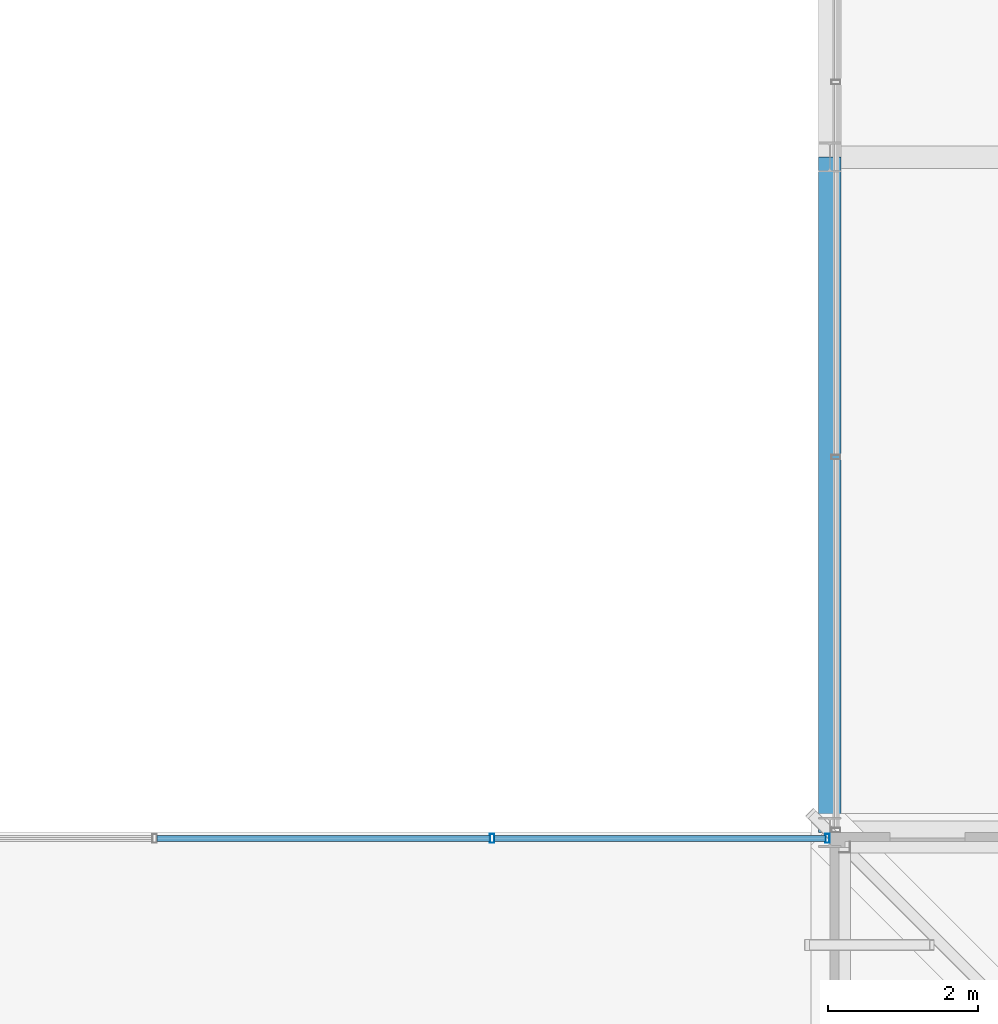
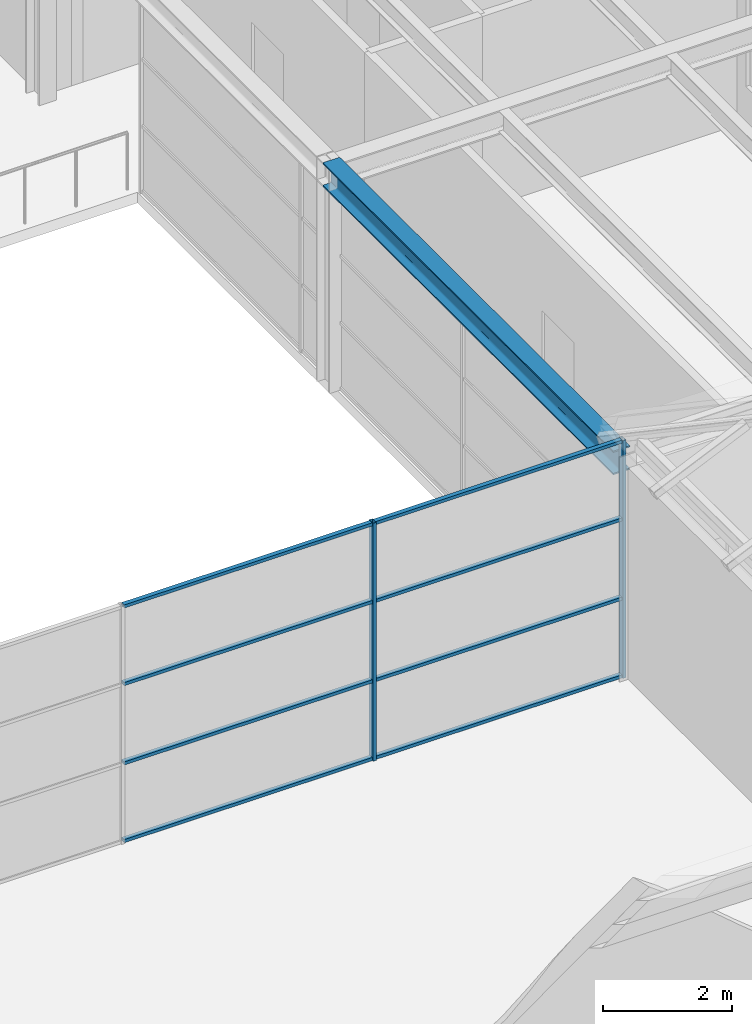
# One storey, part 23 of 149: 10 members, 1 beam, 1 element without a shape of its own.
"""IFC4 building model written with IfcOpenShell, lengths in metres."""

import ifcopenshell
import ifcopenshell.guid

model = None  # the IFC model being written
_history = None  # IfcOwnerHistory: only IFC2X3 demands one
_inside = {}  # id of a spatial element -> (the spatial element, [elements in it])
_under = {}  # id of a project, library or spatial element -> (it, [spatial elements below it])
_declared = {}  # id of a project -> (the project, [libraries it declares])
_typed = {}  # id of a type object -> (the type object, [elements of that type])
_made_of = {}  # id of a material, layer set ... -> (it, [elements and type objects made of it])


def new_model(schema):
    """Start an empty IFC model of exactly this schema.

    Asked for "IFC4X3", IfcOpenShell would pick the latest addendum, in which some entities
    have other attributes; the version numbers below select the first issue.
    IFC2X3 requires an IfcOwnerHistory on every rooted entity: one is made here for all.
    """
    global model, _history
    if schema == "IFC4X3":
        model = ifcopenshell.file(schema_version=(4, 3, 0, 0))
    else:
        model = ifcopenshell.file(schema=schema)
    _inside.clear()
    _under.clear()
    _declared.clear()
    _typed.clear()
    _made_of.clear()
    _history = None
    if model.schema == "IFC2X3":
        org = make("IfcOrganization", Name="unknown")
        user = make(
            "IfcPersonAndOrganization",
            ThePerson=make("IfcPerson", FamilyName="unknown"),
            TheOrganization=org,
        )
        app = make(
            "IfcApplication",
            ApplicationDeveloper=org,
            Version="unknown",
            ApplicationFullName="unknown",
            ApplicationIdentifier="unknown",
        )
        _history = make(
            "IfcOwnerHistory",
            OwningUser=user,
            OwningApplication=app,
            ChangeAction="ADDED",
            CreationDate=0,
        )
    return model


def make(cls, **values):
    """One entity of the class cls with the attributes given. An attribute that is None is left unset."""
    return model.create_entity(
        cls, **{name: value for name, value in values.items() if value is not None}
    )


def rooted(cls, **values):
    """An entity with a GlobalId (a new one), such as an element, a storey or a relation."""
    return make(cls, GlobalId=ifcopenshell.guid.new(), OwnerHistory=_history, **values)


def si_unit(unit_type, name, prefix=None):
    """IfcSIUnit, for example si_unit("LENGTHUNIT", "METRE", prefix="MILLI")."""
    return make("IfcSIUnit", UnitType=unit_type, Prefix=prefix, Name=name)


def assignment(units):
    """IfcUnitAssignment: the units of a project."""
    return None if units is None else make("IfcUnitAssignment", Units=units)


def point(xyz):
    """IfcCartesianPoint."""
    return None if xyz is None else make("IfcCartesianPoint", Coordinates=xyz)


def direction(xyz):
    """IfcDirection."""
    return None if xyz is None else make("IfcDirection", DirectionRatios=xyz)


def frame(location, z_axis=None, x_axis=None):
    """IfcAxis2Placement3D, a coordinate frame: its origin and axes. An axis left out is left unset."""
    return make(
        "IfcAxis2Placement3D",
        Location=point(location),
        Axis=direction(z_axis),
        RefDirection=direction(x_axis),
    )


def frame_2d(location, x_axis=None):
    """IfcAxis2Placement2D, a coordinate frame in the plane: its origin and x axis."""
    return make(
        "IfcAxis2Placement2D", Location=point(location), RefDirection=direction(x_axis)
    )


def origin():
    """The frame at (0, 0, 0) with its axes left unset."""
    return frame((0.0, 0.0, 0.0))


def origin_2d():
    """The frame at (0, 0) in the plane with its x axis left unset."""
    return frame_2d((0.0, 0.0))


def place(relative_to, where):
    """IfcLocalPlacement: puts the frame where relative to a parent placement (None: the world)."""
    return make(
        "IfcLocalPlacement", PlacementRelTo=relative_to, RelativePlacement=where
    )


def context(
    kind, dimensions, precision=None, world=None, true_north=None, identifier=None
):
    """IfcGeometricRepresentationContext, for example the 3D "Model" context."""
    return make(
        "IfcGeometricRepresentationContext",
        ContextIdentifier=identifier,
        ContextType=kind,
        CoordinateSpaceDimension=dimensions,
        Precision=precision,
        WorldCoordinateSystem=world,
        TrueNorth=true_north,
    )


def subcontext(parent, identifier, kind, view, scale=None):
    """IfcGeometricRepresentationSubContext, for example "Body" below "Model"."""
    return make(
        "IfcGeometricRepresentationSubContext",
        ContextIdentifier=identifier,
        ContextType=kind,
        ParentContext=parent,
        TargetScale=scale,
        TargetView=view,
    )


def project(units=None, contexts=None):
    """IfcProject with its units and contexts."""
    return rooted(
        "IfcProject",
        Name="project",
        RepresentationContexts=contexts,
        UnitsInContext=assignment(units),
    )


def spatial(cls, under=None, at=None, **own):
    """A site, building, storey or space (cls), placed at a placement, below another one or the project."""
    s = rooted(cls, ObjectPlacement=at, **own)
    if under is not None:
        _under.setdefault(under.id(), (under, []))[1].append(s)
    return s


def profile(cls, at=None, kind="AREA", **sizes):
    """A parametric profile (cls). Its sizes go by their IFC names, for example OverallWidth=200.0."""
    return make(cls, ProfileType=kind, Position=at, **sizes)


def hollow_rectangle(**sizes):
    """IfcRectangleHollowProfileDef."""
    return profile("IfcRectangleHollowProfileDef", **sizes)


def i_section(**sizes):
    """IfcIShapeProfileDef."""
    return profile("IfcIShapeProfileDef", **sizes)


def extrude(swept, where, along, depth):
    """IfcExtrudedAreaSolid: the profile swept, set in the frame where, extruded along a direction by depth."""
    return make(
        "IfcExtrudedAreaSolid",
        SweptArea=swept,
        Position=where,
        ExtrudedDirection=direction(along),
        Depth=depth,
    )


def shape(context_of_items, identifier, shape_type, items):
    """IfcShapeRepresentation: the items that make up one representation, for example the "Body"."""
    return make(
        "IfcShapeRepresentation",
        ContextOfItems=context_of_items,
        RepresentationIdentifier=identifier,
        RepresentationType=shape_type,
        Items=items,
    )


def material(Name=None, Category=None):
    """IfcMaterial."""
    return make("IfcMaterial", Name=Name, Category=Category)


def material_profile(
    of_material, cross_section, Name=None, Category=None, Priority=None
):
    """IfcMaterialProfile: a cross section and its material."""
    return make(
        "IfcMaterialProfile",
        Name=Name,
        Material=of_material,
        Profile=cross_section,
        Priority=Priority,
        Category=Category,
    )


def profile_set(profiles, Name=None, composite=None):
    """IfcMaterialProfileSet."""
    return make(
        "IfcMaterialProfileSet",
        Name=Name,
        MaterialProfiles=profiles,
        CompositeProfile=composite,
    )


def made_of(thing, what):
    """Note that an element or type object is made of a material, layer set ...; save() writes the relation."""
    if what is not None:
        _made_of.setdefault(what.id(), (what, []))[1].append(thing)
    return thing


def type_object(cls, material=None, **own):
    """A type object (cls), such as IfcWallType, which elements share."""
    return made_of(rooted(cls, **own), material)


def element(
    cls,
    number,
    at=None,
    inside=None,
    cuts=None,
    type_object=None,
    material=None,
    context=None,
    identifier="Body",
    shape_type=None,
    held_by="IfcProductDefinitionShape",
    body=None,
    shapes=None,
    **own,
):
    """One element of the class cls, such as IfcWall. Its Tag is "e" and its number.

    at: its placement. inside: the storey or other place that contains it. cuts: it is an
    opening in that element (IfcRelVoidsElement). A single representation is given by context,
    identifier, shape_type and body (its items); several are given by shapes. held_by: the class
    of the entity that holds the representations. save() writes the other relations.
    """
    e = rooted(cls, Tag="e%d" % number, ObjectPlacement=at, **own)
    if body is not None:
        shapes = [shape(context, identifier, shape_type, body)]
    if shapes is not None:
        e.Representation = make(held_by, Representations=shapes)
    if inside is not None:
        _inside.setdefault(inside.id(), (inside, []))[1].append(e)
    if cuts is not None:
        rooted(
            "IfcRelVoidsElement", RelatingBuildingElement=cuts, RelatedOpeningElement=e
        )
    if type_object is not None:
        _typed.setdefault(type_object.id(), (type_object, []))[1].append(e)
    return made_of(e, material)


def aggregate(whole, parts):
    """IfcRelAggregates: a whole, such as a stair, and the parts it consists of."""
    return rooted("IfcRelAggregates", RelatingObject=whole, RelatedObjects=parts)


def save(model, path):
    """Write the relations noted so far, then the file.

    IfcRelAggregates (storeys below a building ...), IfcRelContainedInSpatialStructure (elements
    in a storey), IfcRelDefinesByType, IfcRelAssociatesMaterial and IfcRelDeclares: one each for
    every whole, place, type object, material and project.
    """
    for whole, parts in _under.values():
        aggregate(whole, parts)
    for where, things in _inside.values():
        rooted(
            "IfcRelContainedInSpatialStructure",
            RelatedElements=things,
            RelatingStructure=where,
        )
    for kind, things in _typed.values():
        rooted("IfcRelDefinesByType", RelatedObjects=things, RelatingType=kind)
    for what, things in _made_of.values():
        rooted("IfcRelAssociatesMaterial", RelatedObjects=things, RelatingMaterial=what)
    for by, libraries in _declared.values():
        rooted("IfcRelDeclares", RelatingContext=by, RelatedDefinitions=libraries)
    model.write(path)


model = new_model("IFC4")

# Units and contexts
model_context = context("Model", 3, precision=1e-05, world=origin(), true_north=direction((0.0, 1.0)))
body_context = subcontext(model_context, "Body", "Model", "MODEL_VIEW")
ifc_project = project(units=[si_unit("LENGTHUNIT", "METRE"), si_unit("AREAUNIT", "SQUARE_METRE"), si_unit("VOLUMEUNIT", "CUBIC_METRE"), si_unit("PLANEANGLEUNIT", "RADIAN"), si_unit("MASSUNIT", "GRAM", prefix="KILO")], contexts=[model_context])

# Site, building, storey
site_placement = place(None, origin())
site = spatial("IfcSite", under=ifc_project, at=site_placement, CompositionType="ELEMENT")
building_placement = place(site_placement, origin())
building = spatial("IfcBuilding", under=site, at=building_placement, Name="Kallimachos Central Library", CompositionType="ELEMENT")
storey_placement = place(building_placement, frame((0.0, 0.0, 9.89990234375)))
storey = spatial("IfcBuildingStorey", under=building, at=storey_placement, Name="L02", CompositionType="ELEMENT", Elevation=9.89990234375)

# Curtain wall, members
ifc_material_1 = material(Name="Aluminium and laminated glass", Category="aluminium")
curtain_wall_type = type_object("IfcCurtainWallType", Name="Atrium glazed screen", PredefinedType="NOTDEFINED", material=ifc_material_1)
curtain_wall_placement = place(storey_placement, origin())
curtain_wall = element("IfcCurtainWall", 1, at=curtain_wall_placement, inside=storey, type_object=curtain_wall_type, Name="L02 atrium screen S", PredefinedType="NOTDEFINED")
ifc_material_2 = material(Name="Anodised aluminium", Category="aluminium")
ifc_material_profile_1 = material_profile(ifc_material_2, hollow_rectangle(XDim=0.06005859375, YDim=0.1201171875, WallThickness=0.00390625, at=origin_2d()), Name="ALU MULLION 60x120")
ifc_profile_set_1 = profile_set([ifc_material_profile_1], Name="Anodised aluminium")
member_type_1 = type_object("IfcMemberType", Name="Atrium screen mullion", PredefinedType="MULLION", material=ifc_profile_set_1)
member_1_placement = place(storey_placement, frame((97.0, 56.919921875, 0.0), z_axis=(0.0, 0.0, 1.0), x_axis=(1.0, 0.0, 0.0)))
member_1 = element("IfcMember", 2, at=member_1_placement, type_object=member_type_1, Name="CW mullion 6", PredefinedType="MULLION", context=body_context, shape_type="SweptSolid", body=[
    extrude(hollow_rectangle(XDim=0.06005859375, YDim=0.1201171875, WallThickness=0.00390625, at=origin_2d()), origin(), (0.0, 0.0, 1.0), 4.5),
])
member_2_placement = place(storey_placement, frame((101.469970703125, 56.919921875, 0.0), z_axis=(0.0, 0.0, 1.0), x_axis=(1.0, 0.0, 0.0)))
member_2 = element("IfcMember", 3, at=member_2_placement, type_object=member_type_1, Name="CW mullion 7", PredefinedType="MULLION", context=body_context, shape_type="SweptSolid", body=[
    extrude(hollow_rectangle(XDim=0.06005859375, YDim=0.1201171875, WallThickness=0.00390625, at=origin_2d()), origin(), (0.0, 0.0, 1.0), 4.5),
])
ifc_material_3 = material(Name="Anodised aluminium", Category="aluminium")
ifc_material_profile_2 = material_profile(ifc_material_3, hollow_rectangle(XDim=0.06005859375, YDim=0.080078125, WallThickness=0.00390625, at=origin_2d()), Name="ALU TRANSOM 60x80")
ifc_profile_set_2 = profile_set([ifc_material_profile_2], Name="Anodised aluminium")
member_type_2 = type_object("IfcMemberType", Name="Atrium screen transom", PredefinedType="USERDEFINED", material=ifc_profile_set_2)
member_3_placement = place(storey_placement, frame((92.530029296875, 56.919921875, 0.030029296875), z_axis=(1.0, 0.0, 0.0), x_axis=(0.0, 0.0, 1.0)))
member_3 = element("IfcMember", 4, at=member_3_placement, type_object=member_type_2, Name="CW transom 5.1", ObjectType="TRANSOM", PredefinedType="USERDEFINED", context=body_context, shape_type="SweptSolid", body=[
    extrude(hollow_rectangle(XDim=0.06005859375, YDim=0.080078125, WallThickness=0.00390625, at=origin_2d()), origin(), (0.0, 0.0, 1.0), 4.43994140625),
])
member_4_placement = place(storey_placement, frame((92.530029296875, 56.919921875, 1.5), z_axis=(1.0, 0.0, 0.0), x_axis=(0.0, 0.0, 1.0)))
member_4 = element("IfcMember", 5, at=member_4_placement, type_object=member_type_2, Name="CW transom 5.2", ObjectType="TRANSOM", PredefinedType="USERDEFINED", context=body_context, shape_type="SweptSolid", body=[
    extrude(hollow_rectangle(XDim=0.06005859375, YDim=0.080078125, WallThickness=0.00390625, at=origin_2d()), origin(), (0.0, 0.0, 1.0), 4.43994140625),
])
member_5_placement = place(storey_placement, frame((92.530029296875, 56.919921875, 3.0), z_axis=(1.0, 0.0, 0.0), x_axis=(0.0, 0.0, 1.0)))
member_5 = element("IfcMember", 6, at=member_5_placement, type_object=member_type_2, Name="CW transom 5.3", ObjectType="TRANSOM", PredefinedType="USERDEFINED", context=body_context, shape_type="SweptSolid", body=[
    extrude(hollow_rectangle(XDim=0.06005859375, YDim=0.080078125, WallThickness=0.00390625, at=origin_2d()), origin(), (0.0, 0.0, 1.0), 4.43994140625),
])
member_6_placement = place(storey_placement, frame((92.530029296875, 56.919921875, 4.47021484375), z_axis=(1.0, 0.0, 0.0), x_axis=(0.0, 0.0, 1.0)))
member_6 = element("IfcMember", 7, at=member_6_placement, type_object=member_type_2, Name="CW transom 5.4", ObjectType="TRANSOM", PredefinedType="USERDEFINED", context=body_context, shape_type="SweptSolid", body=[
    extrude(hollow_rectangle(XDim=0.06005859375, YDim=0.080078125, WallThickness=0.00390625, at=origin_2d()), origin(), (0.0, 0.0, 1.0), 4.43994140625),
])
member_7_placement = place(storey_placement, frame((97.030029296875, 56.919921875, 0.030029296875), z_axis=(1.0, 0.0, 0.0), x_axis=(0.0, 0.0, 1.0)))
member_7 = element("IfcMember", 8, at=member_7_placement, type_object=member_type_2, Name="CW transom 6.1", ObjectType="TRANSOM", PredefinedType="USERDEFINED", context=body_context, shape_type="SweptSolid", body=[
    extrude(hollow_rectangle(XDim=0.06005859375, YDim=0.080078125, WallThickness=0.00390625, at=origin_2d()), origin(), (0.0, 0.0, 1.0), 4.409912109375),
])
member_8_placement = place(storey_placement, frame((97.030029296875, 56.919921875, 1.5), z_axis=(1.0, 0.0, 0.0), x_axis=(0.0, 0.0, 1.0)))
member_8 = element("IfcMember", 9, at=member_8_placement, type_object=member_type_2, Name="CW transom 6.2", ObjectType="TRANSOM", PredefinedType="USERDEFINED", context=body_context, shape_type="SweptSolid", body=[
    extrude(hollow_rectangle(XDim=0.06005859375, YDim=0.080078125, WallThickness=0.00390625, at=origin_2d()), origin(), (0.0, 0.0, 1.0), 4.409912109375),
])
member_9_placement = place(storey_placement, frame((97.030029296875, 56.919921875, 3.0), z_axis=(1.0, 0.0, 0.0), x_axis=(0.0, 0.0, 1.0)))
member_9 = element("IfcMember", 10, at=member_9_placement, type_object=member_type_2, Name="CW transom 6.3", ObjectType="TRANSOM", PredefinedType="USERDEFINED", context=body_context, shape_type="SweptSolid", body=[
    extrude(hollow_rectangle(XDim=0.06005859375, YDim=0.080078125, WallThickness=0.00390625, at=origin_2d()), origin(), (0.0, 0.0, 1.0), 4.409912109375),
])
member_10_placement = place(storey_placement, frame((97.030029296875, 56.919921875, 4.47021484375), z_axis=(1.0, 0.0, 0.0), x_axis=(0.0, 0.0, 1.0)))
member_10 = element("IfcMember", 11, at=member_10_placement, type_object=member_type_2, Name="CW transom 6.4", ObjectType="TRANSOM", PredefinedType="USERDEFINED", context=body_context, shape_type="SweptSolid", body=[
    extrude(hollow_rectangle(XDim=0.06005859375, YDim=0.080078125, WallThickness=0.00390625, at=origin_2d()), origin(), (0.0, 0.0, 1.0), 4.409912109375),
])
aggregate(curtain_wall, [member_1, member_2, member_3, member_4, member_5, member_6, member_7, member_8, member_9, member_10])

# Beam
ifc_material_4 = material(Name="Steel S355J2", Category="steel")
ifc_material_profile_3 = material_profile(ifc_material_4, i_section(OverallWidth=0.300048828125, OverallDepth=0.449951171875, WebThickness=0.013916015625, FlangeThickness=0.02587890625, FilletRadius=0.027099609375, at=origin_2d()), Name="HEB 450")
ifc_profile_set_3 = profile_set([ifc_material_profile_3], Name="Steel S355J2")
beam_type = type_object("IfcBeamType", Name="HEB 450 beam", PredefinedType="BEAM", material=ifc_profile_set_3)
beam_placement = place(storey_placement, frame((101.5, 57.0, 4.025146484375), z_axis=(0.0, 1.0, 0.0), x_axis=(-1.0, 0.0, 0.0)))
element("IfcBeam", 12, at=beam_placement, inside=storey, type_object=beam_type, Name="V4-BEM-L02-033", PredefinedType="BEAM", context=body_context, shape_type="SweptSolid", body=[
    extrude(i_section(OverallWidth=0.300048828125, OverallDepth=0.449951171875, WebThickness=0.013916015625, FlangeThickness=0.02587890625, FilletRadius=0.027099609375, at=origin_2d()), origin(), (0.0, 0.0, 1.0), 9.0),
])

save(model, "model.ifc")
